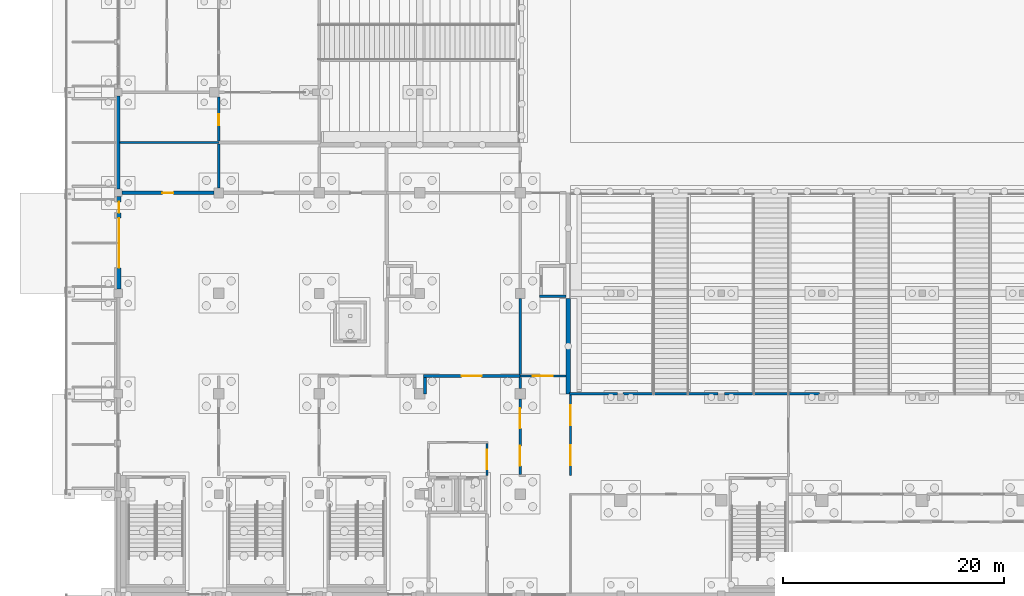
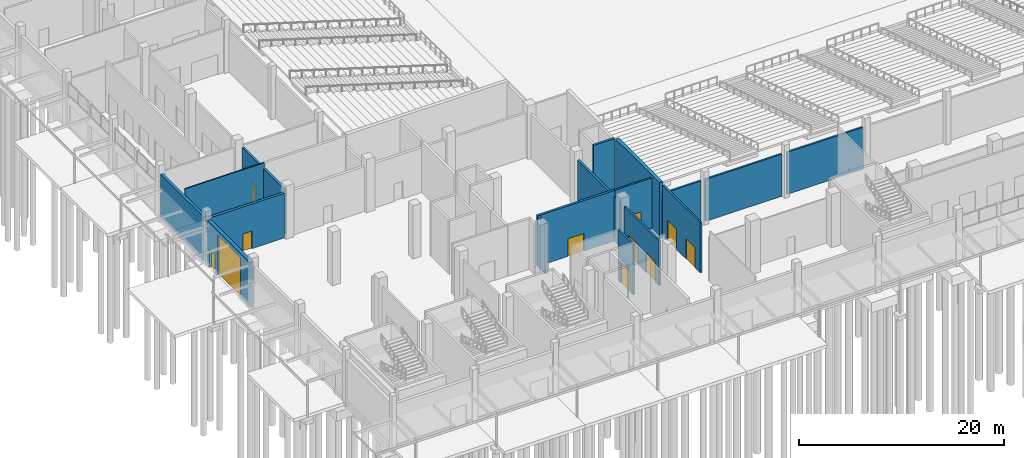
# One storey, part 69 of 129: 19 walls, 11 doors, 11 openings.
"""IFC4 building model written with IfcOpenShell, lengths in metres."""

import ifcopenshell
import ifcopenshell.guid

model = None  # the IFC model being written
_history = None  # IfcOwnerHistory: only IFC2X3 demands one
_inside = {}  # id of a spatial element -> (the spatial element, [elements in it])
_under = {}  # id of a project, library or spatial element -> (it, [spatial elements below it])
_declared = {}  # id of a project -> (the project, [libraries it declares])
_typed = {}  # id of a type object -> (the type object, [elements of that type])
_made_of = {}  # id of a material, layer set ... -> (it, [elements and type objects made of it])


def new_model(schema):
    """Start an empty IFC model of exactly this schema.

    Asked for "IFC4X3", IfcOpenShell would pick the latest addendum, in which some entities
    have other attributes; the version numbers below select the first issue.
    IFC2X3 requires an IfcOwnerHistory on every rooted entity: one is made here for all.
    """
    global model, _history
    if schema == "IFC4X3":
        model = ifcopenshell.file(schema_version=(4, 3, 0, 0))
    else:
        model = ifcopenshell.file(schema=schema)
    _inside.clear()
    _under.clear()
    _declared.clear()
    _typed.clear()
    _made_of.clear()
    _history = None
    if model.schema == "IFC2X3":
        org = make("IfcOrganization", Name="unknown")
        user = make(
            "IfcPersonAndOrganization",
            ThePerson=make("IfcPerson", FamilyName="unknown"),
            TheOrganization=org,
        )
        app = make(
            "IfcApplication",
            ApplicationDeveloper=org,
            Version="unknown",
            ApplicationFullName="unknown",
            ApplicationIdentifier="unknown",
        )
        _history = make(
            "IfcOwnerHistory",
            OwningUser=user,
            OwningApplication=app,
            ChangeAction="ADDED",
            CreationDate=0,
        )
    return model


def make(cls, **values):
    """One entity of the class cls with the attributes given. An attribute that is None is left unset."""
    return model.create_entity(
        cls, **{name: value for name, value in values.items() if value is not None}
    )


def rooted(cls, **values):
    """An entity with a GlobalId (a new one), such as an element, a storey or a relation."""
    return make(cls, GlobalId=ifcopenshell.guid.new(), OwnerHistory=_history, **values)


def si_unit(unit_type, name, prefix=None):
    """IfcSIUnit, for example si_unit("LENGTHUNIT", "METRE", prefix="MILLI")."""
    return make("IfcSIUnit", UnitType=unit_type, Prefix=prefix, Name=name)


def assignment(units):
    """IfcUnitAssignment: the units of a project."""
    return None if units is None else make("IfcUnitAssignment", Units=units)


def point(xyz):
    """IfcCartesianPoint."""
    return None if xyz is None else make("IfcCartesianPoint", Coordinates=xyz)


def direction(xyz):
    """IfcDirection."""
    return None if xyz is None else make("IfcDirection", DirectionRatios=xyz)


def frame(location, z_axis=None, x_axis=None):
    """IfcAxis2Placement3D, a coordinate frame: its origin and axes. An axis left out is left unset."""
    return make(
        "IfcAxis2Placement3D",
        Location=point(location),
        Axis=direction(z_axis),
        RefDirection=direction(x_axis),
    )


def frame_2d(location, x_axis=None):
    """IfcAxis2Placement2D, a coordinate frame in the plane: its origin and x axis."""
    return make(
        "IfcAxis2Placement2D", Location=point(location), RefDirection=direction(x_axis)
    )


def origin():
    """The frame at (0, 0, 0) with its axes left unset."""
    return frame((0.0, 0.0, 0.0))


def place(relative_to, where):
    """IfcLocalPlacement: puts the frame where relative to a parent placement (None: the world)."""
    return make(
        "IfcLocalPlacement", PlacementRelTo=relative_to, RelativePlacement=where
    )


def context(
    kind, dimensions, precision=None, world=None, true_north=None, identifier=None
):
    """IfcGeometricRepresentationContext, for example the 3D "Model" context."""
    return make(
        "IfcGeometricRepresentationContext",
        ContextIdentifier=identifier,
        ContextType=kind,
        CoordinateSpaceDimension=dimensions,
        Precision=precision,
        WorldCoordinateSystem=world,
        TrueNorth=true_north,
    )


def subcontext(parent, identifier, kind, view, scale=None):
    """IfcGeometricRepresentationSubContext, for example "Body" below "Model"."""
    return make(
        "IfcGeometricRepresentationSubContext",
        ContextIdentifier=identifier,
        ContextType=kind,
        ParentContext=parent,
        TargetScale=scale,
        TargetView=view,
    )


def project(units=None, contexts=None):
    """IfcProject with its units and contexts."""
    return rooted(
        "IfcProject",
        Name="project",
        RepresentationContexts=contexts,
        UnitsInContext=assignment(units),
    )


def spatial(cls, under=None, at=None, **own):
    """A site, building, storey or space (cls), placed at a placement, below another one or the project."""
    s = rooted(cls, ObjectPlacement=at, **own)
    if under is not None:
        _under.setdefault(under.id(), (under, []))[1].append(s)
    return s


def profile(cls, at=None, kind="AREA", **sizes):
    """A parametric profile (cls). Its sizes go by their IFC names, for example OverallWidth=200.0."""
    return make(cls, ProfileType=kind, Position=at, **sizes)


def rectangle(**sizes):
    """IfcRectangleProfileDef."""
    return profile("IfcRectangleProfileDef", **sizes)


def extrude(swept, where, along, depth):
    """IfcExtrudedAreaSolid: the profile swept, set in the frame where, extruded along a direction by depth."""
    return make(
        "IfcExtrudedAreaSolid",
        SweptArea=swept,
        Position=where,
        ExtrudedDirection=direction(along),
        Depth=depth,
    )


def shape(context_of_items, identifier, shape_type, items):
    """IfcShapeRepresentation: the items that make up one representation, for example the "Body"."""
    return make(
        "IfcShapeRepresentation",
        ContextOfItems=context_of_items,
        RepresentationIdentifier=identifier,
        RepresentationType=shape_type,
        Items=items,
    )


def material(Name=None, Category=None):
    """IfcMaterial."""
    return make("IfcMaterial", Name=Name, Category=Category)


def layer(
    of_material, thickness, ventilated=None, Name=None, Category=None, Priority=None
):
    """IfcMaterialLayer: one layer of a wall or slab, of a material (None: an air gap)."""
    return make(
        "IfcMaterialLayer",
        Material=of_material,
        LayerThickness=thickness,
        IsVentilated=ventilated,
        Name=Name,
        Category=Category,
        Priority=Priority,
    )


def layer_set(layers, Name=None):
    """IfcMaterialLayerSet."""
    return make("IfcMaterialLayerSet", MaterialLayers=layers, LayerSetName=Name)


def made_of(thing, what):
    """Note that an element or type object is made of a material, layer set ...; save() writes the relation."""
    if what is not None:
        _made_of.setdefault(what.id(), (what, []))[1].append(thing)
    return thing


def type_object(cls, material=None, **own):
    """A type object (cls), such as IfcWallType, which elements share."""
    return made_of(rooted(cls, **own), material)


def element(
    cls,
    number,
    at=None,
    inside=None,
    cuts=None,
    type_object=None,
    material=None,
    context=None,
    identifier="Body",
    shape_type=None,
    held_by="IfcProductDefinitionShape",
    body=None,
    shapes=None,
    **own,
):
    """One element of the class cls, such as IfcWall. Its Tag is "e" and its number.

    at: its placement. inside: the storey or other place that contains it. cuts: it is an
    opening in that element (IfcRelVoidsElement). A single representation is given by context,
    identifier, shape_type and body (its items); several are given by shapes. held_by: the class
    of the entity that holds the representations. save() writes the other relations.
    """
    e = rooted(cls, Tag="e%d" % number, ObjectPlacement=at, **own)
    if body is not None:
        shapes = [shape(context, identifier, shape_type, body)]
    if shapes is not None:
        e.Representation = make(held_by, Representations=shapes)
    if inside is not None:
        _inside.setdefault(inside.id(), (inside, []))[1].append(e)
    if cuts is not None:
        rooted(
            "IfcRelVoidsElement", RelatingBuildingElement=cuts, RelatedOpeningElement=e
        )
    if type_object is not None:
        _typed.setdefault(type_object.id(), (type_object, []))[1].append(e)
    return made_of(e, material)


def fill(opening, filler):
    """IfcRelFillsElement: the door or window that sits in an opening."""
    return rooted(
        "IfcRelFillsElement",
        RelatingOpeningElement=opening,
        RelatedBuildingElement=filler,
    )


def aggregate(whole, parts):
    """IfcRelAggregates: a whole, such as a stair, and the parts it consists of."""
    return rooted("IfcRelAggregates", RelatingObject=whole, RelatedObjects=parts)


def save(model, path):
    """Write the relations noted so far, then the file.

    IfcRelAggregates (storeys below a building ...), IfcRelContainedInSpatialStructure (elements
    in a storey), IfcRelDefinesByType, IfcRelAssociatesMaterial and IfcRelDeclares: one each for
    every whole, place, type object, material and project.
    """
    for whole, parts in _under.values():
        aggregate(whole, parts)
    for where, things in _inside.values():
        rooted(
            "IfcRelContainedInSpatialStructure",
            RelatedElements=things,
            RelatingStructure=where,
        )
    for kind, things in _typed.values():
        rooted("IfcRelDefinesByType", RelatedObjects=things, RelatingType=kind)
    for what, things in _made_of.values():
        rooted("IfcRelAssociatesMaterial", RelatedObjects=things, RelatingMaterial=what)
    for by, libraries in _declared.values():
        rooted("IfcRelDeclares", RelatingContext=by, RelatedDefinitions=libraries)
    model.write(path)


model = new_model("IFC4")

# Units and contexts
model_context = context("Model", 3, precision=1e-05, world=origin(), true_north=direction((0.0, 1.0)))
body_context = subcontext(model_context, "Body", "Model", "MODEL_VIEW")
ifc_project = project(units=[si_unit("LENGTHUNIT", "METRE"), si_unit("AREAUNIT", "SQUARE_METRE"), si_unit("VOLUMEUNIT", "CUBIC_METRE"), si_unit("PLANEANGLEUNIT", "RADIAN"), si_unit("MASSUNIT", "GRAM", prefix="KILO")], contexts=[model_context])

# Site, building, storey
site_placement = place(None, origin())
site = spatial("IfcSite", under=ifc_project, at=site_placement, CompositionType="ELEMENT")
building_placement = place(site_placement, origin())
building = spatial("IfcBuilding", under=site, at=building_placement, Name="Shirokan Park Arena", CompositionType="ELEMENT")
storey_placement = place(building_placement, origin())
storey = spatial("IfcBuildingStorey", under=building, at=storey_placement, Name="L00", CompositionType="ELEMENT", Elevation=0.0)

# Walls
ifc_material_1 = material(Name="Board-formed concrete C40/50", Category="concrete")
ifc_layer_1 = layer(ifc_material_1, 0.1201171875, Name="Board-formed concrete C40/50")
ifc_material_2 = material(Name="Mineral wool insulation")
ifc_layer_2 = layer(ifc_material_2, 0.10009765625, Name="Mineral wool insulation")
ifc_material_3 = material(Name="Concrete C35", Category="concrete")
ifc_layer_3 = layer(ifc_material_3, 0.080078125, Name="Concrete C35")
ifc_layer_set_1 = layer_set([ifc_layer_1, ifc_layer_2, ifc_layer_3], Name="Board-formed concrete C40/50 + Mineral wool insulation + Concrete C35")
wall_type_1 = type_object("IfcWallType", Name="Board-formed concrete base wall 300", PredefinedType="SOLIDWALL", material=ifc_layer_set_1)
wall_1_placement = place(storey_placement, frame((0.0, 45.175048828125, 0.0), z_axis=(0.0, 0.0, 1.0), x_axis=(0.0, -1.0, 0.0)))
element("IfcWall", 1, at=wall_1_placement, inside=storey, type_object=wall_type_1, Name="West facade wall bay 8 L00", PredefinedType="SOLIDWALL", context=body_context, shape_type="SweptSolid", body=[
    extrude(rectangle(XDim=8.425048828125, YDim=0.300048828125, at=frame_2d((4.21240234375, 0.0))), origin(), (0.0, 0.0, 1.0), 5.27001953125),
])
ifc_material_4 = material(Name="Plaster")
ifc_layer_4 = layer(ifc_material_4, 0.014892578125, Name="Plaster")
ifc_material_5 = material(Name="Concrete blockwork", Category="masonry")
ifc_layer_5 = layer(ifc_material_5, 0.219970703125, Name="Concrete blockwork 220")
ifc_layer_6 = layer(ifc_material_4, 0.014892578125, Name="Plaster")
ifc_layer_set_2 = layer_set([ifc_layer_4, ifc_layer_5, ifc_layer_6], Name="Plaster + Concrete blockwork 220")
wall_type_2 = type_object("IfcWallType", Name="Compartment wall 250", PredefinedType="SOLIDWALL", material=ifc_layer_set_2)
wall_2_placement = place(storey_placement, frame((9.10009765625, 40.824951171875, 0.0), z_axis=(0.0, 0.0, 1.0), x_axis=(0.0, -1.0, 0.0)))
element("IfcWall", 2, at=wall_2_placement, inside=storey, type_object=wall_type_2, Name="Compartment wall 250 L00", PredefinedType="SOLIDWALL", context=body_context, shape_type="SweptSolid", body=[
    extrude(rectangle(XDim=3.974853515625, YDim=0.25, at=frame_2d((1.9873046875, 0.0))), origin(), (0.0, 0.0, 1.0), 5.320068359375),
])

# Wall, opening, door
wall_3_placement = place(storey_placement, frame((27.64990234375, 19.800048828125, 0.0), z_axis=(0.0, 0.0, 1.0), x_axis=(1.0, 0.0, 0.0)))
wall_3 = element("IfcWall", 3, at=wall_3_placement, inside=storey, type_object=wall_type_2, Name="Compartment wall 250 L00", PredefinedType="SOLIDWALL", context=body_context, shape_type="SweptSolid", body=[
    extrude(rectangle(XDim=8.75, YDim=0.25, at=frame_2d((4.375, 0.0))), origin(), (0.0, 0.0, 1.0), 6.02001953125),
])
opening_1_placement = place(wall_3_placement, frame((3.449951171875, 0.0, 0.0)))
opening_1 = element("IfcOpeningElement", 4, at=opening_1_placement, cuts=wall_3, Name="Opening D-0004", PredefinedType="OPENING", context=body_context, shape_type="SweptSolid", body=[
    extrude(rectangle(XDim=1.800048828125, YDim=2.10009765625, at=frame_2d((0.89990234375, 1.050048828125))), frame((0.0, 0.135009765625, 0.0), z_axis=(0.0, -1.0, 0.0), x_axis=(1.0, 0.0, 0.0)), (0.0, 0.0, 1.0), 0.27001953125),
])
ifc_material_6 = material(Name="Timber door set, fire resisting", Category="wood")
door_type_1 = type_object("IfcDoorType", Name="Double door 1800 x 2100", OperationType="DOUBLE_DOOR_SINGLE_SWING", PredefinedType="DOOR", material=ifc_material_6)
door_1_placement = place(opening_1_placement, origin())
door_1 = element("IfcDoor", 5, at=door_1_placement, inside=storey, type_object=door_type_1, Name="Door to Marshalling Area D-0004", OperationType="DOUBLE_DOOR_SINGLE_SWING", OverallHeight=2.10009765625, OverallWidth=1.800048828125, PredefinedType="DOOR", context=body_context, shape_type="SweptSolid", body=[
    extrude(rectangle(XDim=1.800048828125, YDim=2.10009765625, at=frame_2d((0.89990234375, 1.050048828125))), frame((0.0, 0.02490234375, 0.0), z_axis=(0.0, -1.0, 0.0), x_axis=(1.0, 0.0, 0.0)), (0.0, 0.0, 1.0), 0.050048828125),
])
fill(opening_1, door_1)

# Walls
wall_4_placement = place(storey_placement, frame((27.77490234375, 18.199951171875, 0.0), z_axis=(0.0, 0.0, 1.0), x_axis=(0.0, 1.0, 0.0)))
element("IfcWall", 6, at=wall_4_placement, inside=storey, type_object=wall_type_2, Name="Compartment wall 250 L00", PredefinedType="SOLIDWALL", context=body_context, shape_type="SweptSolid", body=[
    extrude(rectangle(XDim=1.47509765625, YDim=0.25, at=frame_2d((0.737548828125, 0.0))), origin(), (0.0, 0.0, 1.0), 6.02001953125),
])
wall_5_placement = place(storey_placement, frame((36.39990234375, 26.85009765625, 0.0), z_axis=(0.0, 0.0, 1.0), x_axis=(0.0, -1.0, 0.0)))
element("IfcWall", 7, at=wall_5_placement, inside=storey, type_object=wall_type_2, Name="Compartment wall 250 L00", PredefinedType="SOLIDWALL", context=body_context, shape_type="SweptSolid", body=[
    extrude(rectangle(XDim=6.925048828125, YDim=0.25, at=frame_2d((3.46240234375, 0.0))), origin(), (0.0, 0.0, 1.0), 5.320068359375),
])

# Wall, opening, door
ifc_material_7 = material(Name="Gypsum board")
ifc_layer_7 = layer(ifc_material_7, 0.02490234375, Name="Gypsum board, two layers")
ifc_layer_8 = layer(ifc_material_2, 0.14990234375, Name="Mineral wool insulation")
ifc_layer_9 = layer(ifc_material_7, 0.02490234375, Name="Gypsum board, two layers")
ifc_layer_set_3 = layer_set([ifc_layer_7, ifc_layer_8, ifc_layer_9], Name="Gypsum board, two layers + Mineral wool insulation")
wall_type_3 = type_object("IfcWallType", Name="Corridor wall 200", PredefinedType="PARTITIONING", material=ifc_layer_set_3)
wall_6_placement = place(storey_placement, frame((9.10009765625, 41.074951171875, 0.0), z_axis=(0.0, 0.0, 1.0), x_axis=(0.0, 1.0, 0.0)))
wall_6 = element("IfcWall", 8, at=wall_6_placement, inside=storey, type_object=wall_type_3, Name="Corridor wall 200 L00", PredefinedType="PARTITIONING", context=body_context, shape_type="SweptSolid", body=[
    extrude(rectangle(XDim=4.0, YDim=0.199951171875, at=frame_2d((2.0, 0.0))), origin(), (0.0, 0.0, 1.0), 5.320068359375),
])
opening_2_placement = place(wall_6_placement, frame((1.449951171875, 0.0, 0.0)))
opening_2 = element("IfcOpeningElement", 9, at=opening_2_placement, cuts=wall_6, Name="Opening D-0035", PredefinedType="OPENING", context=body_context, shape_type="SweptSolid", body=[
    extrude(rectangle(XDim=1.0, YDim=2.10009765625, at=frame_2d((0.5, 1.050048828125))), frame((0.0, 0.10986328125, 0.0), z_axis=(0.0, -1.0, 0.0), x_axis=(1.0, 0.0, 0.0)), (0.0, 0.0, 1.0), 0.219970703125),
])
door_type_2 = type_object("IfcDoorType", Name="Door 1000 x 2100", OperationType="SINGLE_SWING_LEFT", PredefinedType="DOOR", material=ifc_material_6)
door_2_placement = place(opening_2_placement, origin())
door_2 = element("IfcDoor", 10, at=door_2_placement, inside=storey, type_object=door_type_2, Name="Door to Information Desk 0.41 D-0035", OperationType="SINGLE_SWING_RIGHT", OverallHeight=2.10009765625, OverallWidth=1.0, PredefinedType="DOOR", context=body_context, shape_type="SweptSolid", body=[
    extrude(rectangle(XDim=1.0, YDim=2.10009765625, at=frame_2d((0.5, 1.050048828125))), frame((0.0, 0.02490234375, 0.0), z_axis=(0.0, -1.0, 0.0), x_axis=(1.0, 0.0, 0.0)), (0.0, 0.0, 1.0), 0.050048828125),
])
fill(opening_2, door_2)

wall_7_placement = place(storey_placement, frame((33.39990234375, 10.800048828125, 0.0), z_axis=(0.0, 0.0, 1.0), x_axis=(0.0, 1.0, 0.0)))
wall_7 = element("IfcWall", 11, at=wall_7_placement, inside=storey, type_object=wall_type_3, Name="Corridor wall 200 L00", PredefinedType="PARTITIONING", context=body_context, shape_type="SweptSolid", body=[
    extrude(rectangle(XDim=2.89990234375, YDim=0.199951171875, at=frame_2d((1.449951171875, 0.0))), origin(), (0.0, 0.0, 1.0), 6.02001953125),
])
opening_3_placement = place(wall_7_placement, frame((0.550048828125, 0.0, 0.0)))
opening_3 = element("IfcOpeningElement", 12, at=opening_3_placement, cuts=wall_7, Name="Opening D-0046", PredefinedType="OPENING", context=body_context, shape_type="SweptSolid", body=[
    extrude(rectangle(XDim=1.800048828125, YDim=2.39990234375, at=frame_2d((0.89990234375, 1.199951171875))), frame((0.0, 0.10986328125, 0.0), z_axis=(0.0, -1.0, 0.0), x_axis=(1.0, 0.0, 0.0)), (0.0, 0.0, 1.0), 0.219970703125),
])
ifc_material_8 = material(Name="Glazed steel door set, fire resisting", Category="steel")
door_type_3 = type_object("IfcDoorType", Name="Lift lobby door 1800 x 2400", OperationType="DOUBLE_DOOR_SINGLE_SWING", PredefinedType="DOOR", material=ifc_material_8)
door_3_placement = place(opening_3_placement, origin())
door_3 = element("IfcDoor", 13, at=door_3_placement, inside=storey, type_object=door_type_3, Name="Door between Staff Lobby 1.0.3 and Lift Lobby 1.0 D-0046", OperationType="DOUBLE_DOOR_SINGLE_SWING", OverallHeight=2.39990234375, OverallWidth=1.800048828125, PredefinedType="DOOR", context=body_context, shape_type="SweptSolid", body=[
    extrude(rectangle(XDim=1.800048828125, YDim=2.39990234375, at=frame_2d((0.89990234375, 1.199951171875))), frame((0.0, 0.02490234375, 0.0), z_axis=(0.0, -1.0, 0.0), x_axis=(1.0, 0.0, 0.0)), (0.0, 0.0, 1.0), 0.050048828125),
])
fill(opening_3, door_3)

# Wall, openings, doors
wall_8_placement = place(storey_placement, frame((36.39990234375, 17.72509765625, 0.0), z_axis=(0.0, 0.0, 1.0), x_axis=(0.0, -1.0, 0.0)))
wall_8 = element("IfcWall", 14, at=wall_8_placement, inside=storey, type_object=wall_type_3, Name="Corridor wall 200 L00", PredefinedType="PARTITIONING", context=body_context, shape_type="SweptSolid", body=[
    extrude(rectangle(XDim=6.8251953125, YDim=0.199951171875, at=frame_2d((3.41259765625, 0.0))), origin(), (0.0, 0.0, 1.0), 5.320068359375),
])
opening_4_placement = place(wall_8_placement, frame((0.85009765625, 0.0, 0.0)))
opening_4 = element("IfcOpeningElement", 15, at=opening_4_placement, cuts=wall_8, Name="Opening D-0042", PredefinedType="OPENING", context=body_context, shape_type="SweptSolid", body=[
    extrude(rectangle(XDim=1.800048828125, YDim=2.39990234375, at=frame_2d((0.89990234375, 1.199951171875))), frame((0.0, 0.10986328125, 0.0), z_axis=(0.0, -1.0, 0.0), x_axis=(1.0, 0.0, 0.0)), (0.0, 0.0, 1.0), 0.219970703125),
])
opening_5_placement = place(wall_8_placement, frame((4.25, 0.0, 0.0)))
opening_5 = element("IfcOpeningElement", 16, at=opening_5_placement, cuts=wall_8, Name="Opening D-0043", PredefinedType="OPENING", context=body_context, shape_type="SweptSolid", body=[
    extrude(rectangle(XDim=1.800048828125, YDim=2.39990234375, at=frame_2d((0.89990234375, 1.199951171875))), frame((0.0, 0.10986328125, 0.0), z_axis=(0.0, -1.0, 0.0), x_axis=(1.0, 0.0, 0.0)), (0.0, 0.0, 1.0), 0.219970703125),
])
door_4_placement = place(opening_4_placement, origin())
door_4 = element("IfcDoor", 17, at=door_4_placement, inside=storey, type_object=door_type_3, Name="Door between Staff Lobby 1.0.3 and Equipment Lobby 1.0.4 D-0042", OperationType="DOUBLE_DOOR_SINGLE_SWING", OverallHeight=2.39990234375, OverallWidth=1.800048828125, PredefinedType="DOOR", context=body_context, shape_type="SweptSolid", body=[
    extrude(rectangle(XDim=1.800048828125, YDim=2.39990234375, at=frame_2d((0.89990234375, 1.199951171875))), frame((0.0, 0.02490234375, 0.0), z_axis=(0.0, -1.0, 0.0), x_axis=(1.0, 0.0, 0.0)), (0.0, 0.0, 1.0), 0.050048828125),
])
fill(opening_4, door_4)
door_5_placement = place(opening_5_placement, origin())
door_5 = element("IfcDoor", 18, at=door_5_placement, inside=storey, type_object=door_type_3, Name="Door between Staff Lobby 1.0.3 and Equipment Lobby 1.0.4 D-0043", OperationType="DOUBLE_DOOR_SINGLE_SWING", OverallHeight=2.39990234375, OverallWidth=1.800048828125, PredefinedType="DOOR", context=body_context, shape_type="SweptSolid", body=[
    extrude(rectangle(XDim=1.800048828125, YDim=2.39990234375, at=frame_2d((0.89990234375, 1.199951171875))), frame((0.0, 0.02490234375, 0.0), z_axis=(0.0, -1.0, 0.0), x_axis=(1.0, 0.0, 0.0)), (0.0, 0.0, 1.0), 0.050048828125),
])
fill(opening_5, door_5)

# Wall
wall_9_placement = place(storey_placement, frame((36.39990234375, 19.675048828125, 0.0), z_axis=(0.0, 0.0, 1.0), x_axis=(0.0, -1.0, 0.0)))
element("IfcWall", 19, at=wall_9_placement, inside=storey, type_object=wall_type_3, Name="Corridor wall 200 L00", PredefinedType="PARTITIONING", context=body_context, shape_type="SweptSolid", body=[
    extrude(rectangle(XDim=1.0, YDim=0.199951171875, at=frame_2d((0.5, 0.0))), origin(), (0.0, 0.0, 1.0), 5.320068359375),
])

# Wall, opening, door
wall_10_placement = place(storey_placement, frame((36.39990234375, 19.800048828125, 0.0), z_axis=(0.0, 0.0, 1.0), x_axis=(1.0, 0.0, 0.0)))
wall_10 = element("IfcWall", 20, at=wall_10_placement, inside=storey, type_object=wall_type_3, Name="Corridor wall 200 L00", PredefinedType="PARTITIONING", context=body_context, shape_type="SweptSolid", body=[
    extrude(rectangle(XDim=4.150146484375, YDim=0.199951171875, at=frame_2d((2.0751953125, 0.0))), origin(), (0.0, 0.0, 1.0), 6.02001953125),
])
opening_6_placement = place(wall_10_placement, frame((1.14990234375, 0.0, 0.0)))
opening_6 = element("IfcOpeningElement", 21, at=opening_6_placement, cuts=wall_10, Name="Opening D-0048", PredefinedType="OPENING", context=body_context, shape_type="SweptSolid", body=[
    extrude(rectangle(XDim=1.800048828125, YDim=2.39990234375, at=frame_2d((0.89990234375, 1.199951171875))), frame((0.0, 0.10986328125, 0.0), z_axis=(0.0, -1.0, 0.0), x_axis=(1.0, 0.0, 0.0)), (0.0, 0.0, 1.0), 0.219970703125),
])
door_6_placement = place(opening_6_placement, origin())
door_6 = element("IfcDoor", 22, at=door_6_placement, inside=storey, type_object=door_type_3, Name="Door between Equipment Lobby 1.0.4 and Team Corridor 1.0 D-0048", OperationType="DOUBLE_DOOR_SINGLE_SWING", OverallHeight=2.39990234375, OverallWidth=1.800048828125, PredefinedType="DOOR", context=body_context, shape_type="SweptSolid", body=[
    extrude(rectangle(XDim=1.800048828125, YDim=2.39990234375, at=frame_2d((0.89990234375, 1.199951171875))), frame((0.0, 0.02490234375, 0.0), z_axis=(0.0, -1.0, 0.0), x_axis=(1.0, 0.0, 0.0)), (0.0, 0.0, 1.0), 0.050048828125),
])
fill(opening_6, door_6)

# Wall
wall_11_placement = place(storey_placement, frame((40.85009765625, 18.199951171875, 0.0), z_axis=(0.0, 0.0, 1.0), x_axis=(1.0, 0.0, 0.0)))
element("IfcWall", 23, at=wall_11_placement, inside=storey, type_object=wall_type_3, Name="Corridor wall 200 L00", PredefinedType="PARTITIONING", context=body_context, shape_type="SweptSolid", body=[
    extrude(rectangle(XDim=4.349853515625, YDim=0.199951171875, at=frame_2d((2.1748046875, 0.0))), origin(), (0.0, 0.0, 1.0), 5.02001953125),
])

# Wall, openings, doors
wall_12_placement = place(storey_placement, frame((40.949951171875, 18.10009765625, 0.0), z_axis=(0.0, 0.0, 1.0), x_axis=(0.0, -1.0, 0.0)))
wall_12 = element("IfcWall", 24, at=wall_12_placement, inside=storey, type_object=wall_type_3, Name="Corridor wall 200 L00", PredefinedType="PARTITIONING", context=body_context, shape_type="SweptSolid", body=[
    extrude(rectangle(XDim=7.300048828125, YDim=0.199951171875, at=frame_2d((3.64990234375, 0.0))), origin(), (0.0, 0.0, 1.0), 6.02001953125),
])
opening_7_placement = place(wall_12_placement, frame((0.949951171875, 0.0, 0.0)))
opening_7 = element("IfcOpeningElement", 25, at=opening_7_placement, cuts=wall_12, Name="Opening D-0049", PredefinedType="OPENING", context=body_context, shape_type="SweptSolid", body=[
    extrude(rectangle(XDim=1.800048828125, YDim=2.39990234375, at=frame_2d((0.89990234375, 1.199951171875))), frame((0.0, 0.10986328125, 0.0), z_axis=(0.0, -1.0, 0.0), x_axis=(1.0, 0.0, 0.0)), (0.0, 0.0, 1.0), 0.219970703125),
])
opening_8_placement = place(wall_12_placement, frame((4.550048828125, 0.0, 0.0)))
opening_8 = element("IfcOpeningElement", 26, at=opening_8_placement, cuts=wall_12, Name="Opening D-0050", PredefinedType="OPENING", context=body_context, shape_type="SweptSolid", body=[
    extrude(rectangle(XDim=1.800048828125, YDim=2.39990234375, at=frame_2d((0.89990234375, 1.199951171875))), frame((0.0, 0.10986328125, 0.0), z_axis=(0.0, -1.0, 0.0), x_axis=(1.0, 0.0, 0.0)), (0.0, 0.0, 1.0), 0.219970703125),
])
door_7_placement = place(opening_7_placement, origin())
door_7 = element("IfcDoor", 27, at=door_7_placement, inside=storey, type_object=door_type_3, Name="Door between Equipment Lobby 1.0.4 and Cloakroom Hall E1 D-0049", OperationType="DOUBLE_DOOR_SINGLE_SWING", OverallHeight=2.39990234375, OverallWidth=1.800048828125, PredefinedType="DOOR", context=body_context, shape_type="SweptSolid", body=[
    extrude(rectangle(XDim=1.800048828125, YDim=2.39990234375, at=frame_2d((0.89990234375, 1.199951171875))), frame((0.0, 0.02490234375, 0.0), z_axis=(0.0, -1.0, 0.0), x_axis=(1.0, 0.0, 0.0)), (0.0, 0.0, 1.0), 0.050048828125),
])
fill(opening_7, door_7)
door_8_placement = place(opening_8_placement, origin())
door_8 = element("IfcDoor", 28, at=door_8_placement, inside=storey, type_object=door_type_3, Name="Door between Equipment Lobby 1.0.4 and Cloakroom Hall E1 D-0050", OperationType="DOUBLE_DOOR_SINGLE_SWING", OverallHeight=2.39990234375, OverallWidth=1.800048828125, PredefinedType="DOOR", context=body_context, shape_type="SweptSolid", body=[
    extrude(rectangle(XDim=1.800048828125, YDim=2.39990234375, at=frame_2d((0.89990234375, 1.199951171875))), frame((0.0, 0.02490234375, 0.0), z_axis=(0.0, -1.0, 0.0), x_axis=(1.0, 0.0, 0.0)), (0.0, 0.0, 1.0), 0.050048828125),
])
fill(opening_8, door_8)

# Walls
for number, where, z_axis, x_axis, name in (
    (29, (45.699951171875, 18.199951171875, 0.0), (0.0, 0.0, 1.0), (1.0, 0.0, 0.0), "Corridor wall 200 L00"),
    (30, (54.89990234375, 18.199951171875, 0.0), (0.0, 0.0, 1.0), (1.0, 0.0, 0.0), "Corridor wall 200 L00"),
):
    element("IfcWall", number, at=place(storey_placement, frame(where, z_axis=z_axis, x_axis=x_axis)), inside=storey, type_object=wall_type_3, Name=name, PredefinedType="PARTITIONING", context=body_context, shape_type="SweptSolid", body=[
        extrude(rectangle(XDim=8.60009765625, YDim=0.199951171875, at=frame_2d((4.300048828125, 0.0))), origin(), (0.0, 0.0, 1.0), 5.02001953125),
    ])

# Wall, opening, door
ifc_material_9 = material(Name="Concrete C30 precast panel", Category="concrete")
ifc_layer_10 = layer(ifc_material_9, 0.300048828125, Name="Concrete C30 precast panel")
ifc_layer_set_4 = layer_set([ifc_layer_10], Name="Concrete C30 precast panel")
wall_type_4 = type_object("IfcWallType", Name="Dock wall 300", PredefinedType="SOLIDWALL", material=ifc_layer_set_4)
wall_13_placement = place(storey_placement, frame((0.35009765625, 36.39990234375, 0.0), z_axis=(0.0, 0.0, 1.0), x_axis=(1.0, 0.0, 0.0)))
wall_13 = element("IfcWall", 31, at=wall_13_placement, inside=storey, type_object=wall_type_4, Name="Dock wall 300 L00", PredefinedType="SOLIDWALL", context=body_context, shape_type="SweptSolid", body=[
    extrude(rectangle(XDim=8.2998046875, YDim=0.300048828125, at=frame_2d((4.14990234375, 0.0))), origin(), (0.0, 0.0, 1.0), 5.320068359375),
])
opening_9_placement = place(wall_13_placement, frame((3.64990234375, 0.0, 0.0)))
opening_9 = element("IfcOpeningElement", 32, at=opening_9_placement, cuts=wall_13, Name="Opening D-0001", PredefinedType="OPENING", context=body_context, shape_type="SweptSolid", body=[
    extrude(rectangle(XDim=1.0, YDim=2.10009765625, at=frame_2d((0.5, 1.050048828125))), frame((0.0, 0.159912109375, 0.0), z_axis=(0.0, -1.0, 0.0), x_axis=(1.0, 0.0, 0.0)), (0.0, 0.0, 1.0), 0.320068359375),
])
door_9_placement = place(opening_9_placement, origin())
door_9 = element("IfcDoor", 33, at=door_9_placement, inside=storey, type_object=door_type_2, Name="Door to Dock Office D-0001", OperationType="SINGLE_SWING_RIGHT", OverallHeight=2.10009765625, OverallWidth=1.0, PredefinedType="DOOR", context=body_context, shape_type="SweptSolid", body=[
    extrude(rectangle(XDim=1.0, YDim=2.10009765625, at=frame_2d((0.5, 1.050048828125))), frame((0.0, 0.02490234375, 0.0), z_axis=(0.0, -1.0, 0.0), x_axis=(1.0, 0.0, 0.0)), (0.0, 0.0, 1.0), 0.050048828125),
])
fill(opening_9, door_9)

# Wall, openings, doors
ifc_material_10 = material(Name="Steel sheet cladding", Category="steel")
ifc_layer_11 = layer(ifc_material_10, 0.02001953125, Name="Steel sheet cladding")
ifc_layer_12 = layer(ifc_material_2, 0.080078125, Name="Mineral wool insulation")
ifc_material_11 = material(Name="Concrete C40/50", Category="concrete")
ifc_layer_13 = layer(ifc_material_11, 0.300048828125, Name="Concrete C40/50")
ifc_layer_set_5 = layer_set([ifc_layer_11, ifc_layer_12, ifc_layer_13], Name="Steel sheet cladding + Mineral wool insulation + Concrete C40/50")
wall_type_5 = type_object("IfcWallType", Name="Dock wall 400", PredefinedType="SOLIDWALL", material=ifc_layer_set_5)
wall_14_placement = place(storey_placement, frame((0.050048828125, 36.050048828125, 0.0), z_axis=(0.0, 0.0, 1.0), x_axis=(0.0, -1.0, 0.0)))
wall_14 = element("IfcWall", 34, at=wall_14_placement, inside=storey, type_object=wall_type_5, Name="West facade wall bay 9 L00", PredefinedType="SOLIDWALL", context=body_context, shape_type="SweptSolid", body=[
    extrude(rectangle(XDim=8.375, YDim=0.39990234375, at=frame_2d((4.1875, 0.0))), origin(), (0.0, 0.0, 1.0), 5.320068359375),
])
opening_10_placement = place(wall_14_placement, frame((1.949951171875, 0.0, 0.0)))
opening_10 = element("IfcOpeningElement", 35, at=opening_10_placement, cuts=wall_14, Name="Opening DK1", PredefinedType="OPENING", context=body_context, shape_type="SweptSolid", body=[
    extrude(rectangle(XDim=4.5, YDim=4.800048828125, at=frame_2d((2.25, 2.39990234375))), frame((0.0, 0.2099609375, 0.0), z_axis=(0.0, -1.0, 0.0), x_axis=(1.0, 0.0, 0.0)), (0.0, 0.0, 1.0), 0.419921875),
])
opening_11_placement = place(wall_14_placement, frame((0.47509765625, 0.0, 0.0)))
opening_11 = element("IfcOpeningElement", 36, at=opening_11_placement, cuts=wall_14, Name="Opening P1", PredefinedType="OPENING", context=body_context, shape_type="SweptSolid", body=[
    extrude(rectangle(XDim=1.0, YDim=2.10009765625, at=frame_2d((0.5, 1.050048828125))), frame((0.0, 0.2099609375, 0.0), z_axis=(0.0, -1.0, 0.0), x_axis=(1.0, 0.0, 0.0)), (0.0, 0.0, 1.0), 0.419921875),
])
ifc_material_12 = material(Name="Steel insulated sectional door", Category="steel")
door_type_4 = type_object("IfcDoorType", Name="Dock door 4500x4800", OperationType="ROLLINGUP", PredefinedType="DOOR", material=ifc_material_12)
door_10_placement = place(opening_10_placement, frame((4.5, 0.0, 0.0), z_axis=(0.0, 0.0, 1.0), x_axis=(-1.0, 0.0, 0.0)))
door_10 = element("IfcDoor", 37, at=door_10_placement, inside=storey, type_object=door_type_4, Name="Loading dock door DK1", OperationType="ROLLINGUP", OverallHeight=4.800048828125, OverallWidth=4.5, PredefinedType="DOOR", context=body_context, shape_type="SweptSolid", body=[
    extrude(rectangle(XDim=4.5, YDim=4.800048828125, at=frame_2d((2.25, 2.39990234375))), frame((0.0, 0.02490234375, 0.0), z_axis=(0.0, -1.0, 0.0), x_axis=(1.0, 0.0, 0.0)), (0.0, 0.0, 1.0), 0.050048828125),
])
fill(opening_10, door_10)
ifc_material_13 = material(Name="Steel door", Category="steel")
door_type_5 = type_object("IfcDoorType", Name="Personnel door 1000x2100", OperationType="SINGLE_SWING_LEFT", PredefinedType="DOOR", material=ifc_material_13)
door_11_placement = place(opening_11_placement, frame((1.0, 0.0, 0.0), z_axis=(0.0, 0.0, 1.0), x_axis=(-1.0, 0.0, 0.0)))
door_11 = element("IfcDoor", 38, at=door_11_placement, inside=storey, type_object=door_type_5, Name="Dock personnel door P1", OperationType="SINGLE_SWING_LEFT", OverallHeight=2.10009765625, OverallWidth=1.0, PredefinedType="DOOR", context=body_context, shape_type="SweptSolid", body=[
    extrude(rectangle(XDim=1.0, YDim=2.10009765625, at=frame_2d((0.5, 1.050048828125))), frame((0.0, 0.02490234375, 0.0), z_axis=(0.0, -1.0, 0.0), x_axis=(1.0, 0.0, 0.0)), (0.0, 0.0, 1.0), 0.050048828125),
])
fill(opening_11, door_11)

# Walls
ifc_layer_14 = layer(ifc_material_3, 0.39990234375)
ifc_layer_set_6 = layer_set([ifc_layer_14], Name="Concrete C35 400 mm")
wall_type_6 = type_object("IfcWallType", Name="RC flank wall 400", PredefinedType="SHEAR", material=ifc_layer_set_6)
wall_15_placement = place(storey_placement, frame((40.75, 26.808837890625, -0.39990234375), z_axis=(0.0, 0.0, 1.0), x_axis=(0.0, -1.0, 0.0)))
element("IfcWall", 39, at=wall_15_placement, inside=storey, type_object=wall_type_6, Name="Flank wall S1 L00", PredefinedType="SHEAR", context=body_context, shape_type="SweptSolid", body=[
    extrude(rectangle(XDim=8.60888671875, YDim=0.39990234375, at=frame_2d((4.304443359375, 0.0))), origin(), (0.0, 0.0, 1.0), 6.77001953125),
])
ifc_layer_15 = layer(ifc_material_11, 0.25)
ifc_layer_set_7 = layer_set([ifc_layer_15], Name="Concrete C40/50 250 mm")
wall_type_7 = type_object("IfcWallType", Name="RC shear wall 250", PredefinedType="SHEAR", material=ifc_layer_set_7)
wall_16_placement = place(storey_placement, frame((40.550048828125, 27.02490234375, -0.39990234375), z_axis=(0.0, 0.0, 1.0), x_axis=(-1.0, 0.0, 0.0)))
element("IfcWall", 40, at=wall_16_placement, inside=storey, type_object=wall_type_7, Name="Shaft wall Services Riser 1.1 S L00", PredefinedType="SHEAR", context=body_context, shape_type="SweptSolid", body=[
    extrude(rectangle(XDim=2.400146484375, YDim=0.25, at=frame_2d((1.2001953125, 0.0))), origin(), (0.0, 0.0, 1.0), 6.77001953125),
])
ifc_layer_16 = layer(ifc_material_7, 0.012451171875, Name="Gypsum board")
ifc_layer_17 = layer(ifc_material_2, 0.125, Name="Mineral wool insulation")
ifc_layer_18 = layer(ifc_material_7, 0.012451171875, Name="Gypsum board")
ifc_layer_set_8 = layer_set([ifc_layer_16, ifc_layer_17, ifc_layer_18], Name="Gypsum board + Mineral wool insulation")
wall_type_8 = type_object("IfcWallType", Name="Room partition 150", PredefinedType="PARTITIONING", material=ifc_layer_set_8)
wall_17_placement = place(storey_placement, frame((0.14990234375, 40.949951171875, 0.0), z_axis=(0.0, 0.0, 1.0), x_axis=(1.0, 0.0, 0.0)))
element("IfcWall", 41, at=wall_17_placement, inside=storey, type_object=wall_type_8, Name="Room partition 150 L00", PredefinedType="PARTITIONING", context=body_context, shape_type="SweptSolid", body=[
    extrude(rectangle(XDim=8.9501953125, YDim=0.14990234375, at=frame_2d((4.47509765625, 0.0))), origin(), (0.0, 0.0, 1.0), 6.02001953125),
])

save(model, "model.ifc")
